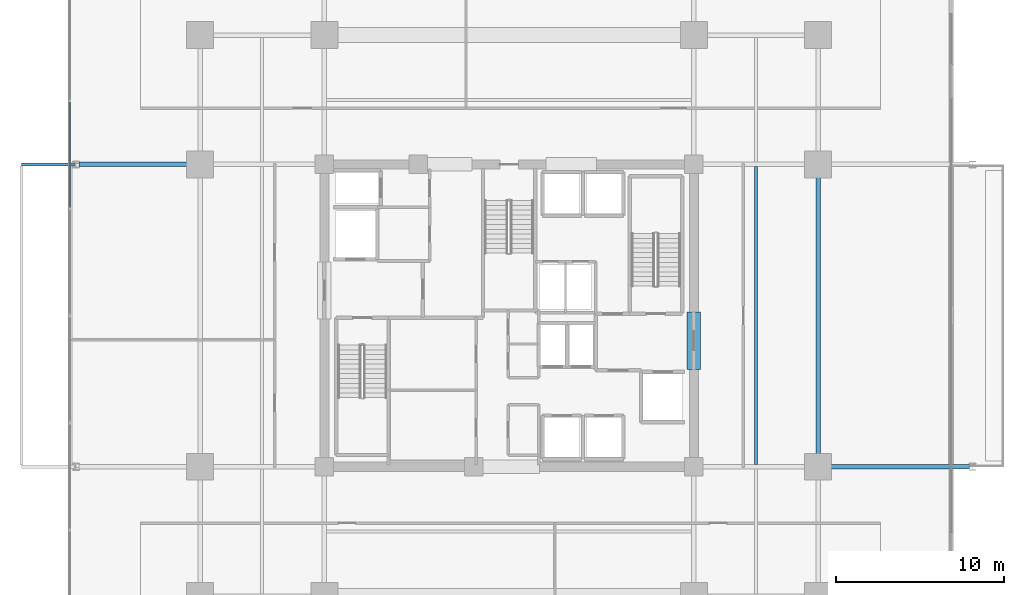
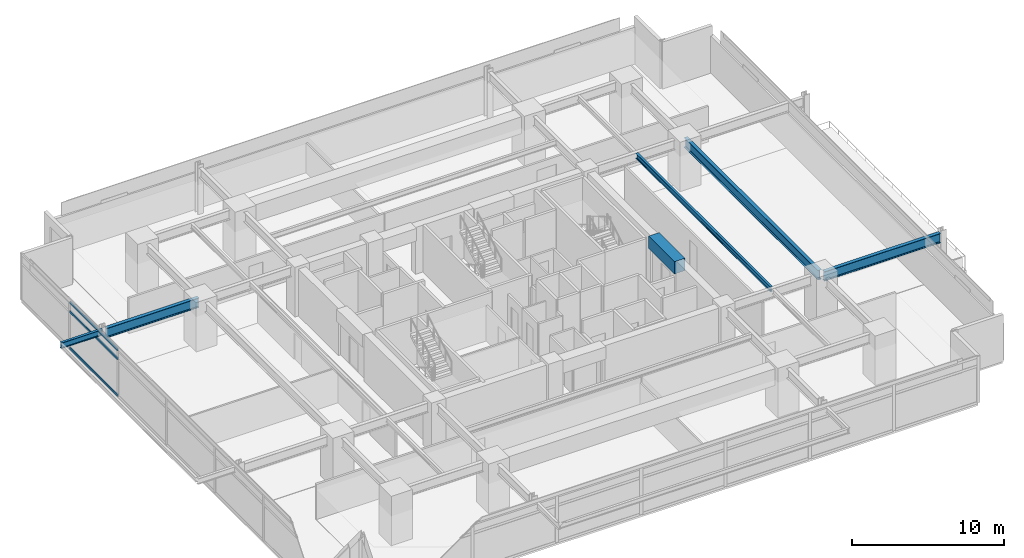
# One storey, part 11 of 24: 6 beams, 3 members, 1 element without a shape of its own.
"""IFC4 building model written with IfcOpenShell, lengths in metres."""

import ifcopenshell
import ifcopenshell.guid

model = None  # the IFC model being written
_history = None  # IfcOwnerHistory: only IFC2X3 demands one
_inside = {}  # id of a spatial element -> (the spatial element, [elements in it])
_under = {}  # id of a project, library or spatial element -> (it, [spatial elements below it])
_declared = {}  # id of a project -> (the project, [libraries it declares])
_typed = {}  # id of a type object -> (the type object, [elements of that type])
_made_of = {}  # id of a material, layer set ... -> (it, [elements and type objects made of it])


def new_model(schema):
    """Start an empty IFC model of exactly this schema.

    Asked for "IFC4X3", IfcOpenShell would pick the latest addendum, in which some entities
    have other attributes; the version numbers below select the first issue.
    IFC2X3 requires an IfcOwnerHistory on every rooted entity: one is made here for all.
    """
    global model, _history
    if schema == "IFC4X3":
        model = ifcopenshell.file(schema_version=(4, 3, 0, 0))
    else:
        model = ifcopenshell.file(schema=schema)
    _inside.clear()
    _under.clear()
    _declared.clear()
    _typed.clear()
    _made_of.clear()
    _history = None
    if model.schema == "IFC2X3":
        org = make("IfcOrganization", Name="unknown")
        user = make(
            "IfcPersonAndOrganization",
            ThePerson=make("IfcPerson", FamilyName="unknown"),
            TheOrganization=org,
        )
        app = make(
            "IfcApplication",
            ApplicationDeveloper=org,
            Version="unknown",
            ApplicationFullName="unknown",
            ApplicationIdentifier="unknown",
        )
        _history = make(
            "IfcOwnerHistory",
            OwningUser=user,
            OwningApplication=app,
            ChangeAction="ADDED",
            CreationDate=0,
        )
    return model


def make(cls, **values):
    """One entity of the class cls with the attributes given. An attribute that is None is left unset."""
    return model.create_entity(
        cls, **{name: value for name, value in values.items() if value is not None}
    )


def rooted(cls, **values):
    """An entity with a GlobalId (a new one), such as an element, a storey or a relation."""
    return make(cls, GlobalId=ifcopenshell.guid.new(), OwnerHistory=_history, **values)


def si_unit(unit_type, name, prefix=None):
    """IfcSIUnit, for example si_unit("LENGTHUNIT", "METRE", prefix="MILLI")."""
    return make("IfcSIUnit", UnitType=unit_type, Prefix=prefix, Name=name)


def assignment(units):
    """IfcUnitAssignment: the units of a project."""
    return None if units is None else make("IfcUnitAssignment", Units=units)


def point(xyz):
    """IfcCartesianPoint."""
    return None if xyz is None else make("IfcCartesianPoint", Coordinates=xyz)


def direction(xyz):
    """IfcDirection."""
    return None if xyz is None else make("IfcDirection", DirectionRatios=xyz)


def frame(location, z_axis=None, x_axis=None):
    """IfcAxis2Placement3D, a coordinate frame: its origin and axes. An axis left out is left unset."""
    return make(
        "IfcAxis2Placement3D",
        Location=point(location),
        Axis=direction(z_axis),
        RefDirection=direction(x_axis),
    )


def frame_2d(location, x_axis=None):
    """IfcAxis2Placement2D, a coordinate frame in the plane: its origin and x axis."""
    return make(
        "IfcAxis2Placement2D", Location=point(location), RefDirection=direction(x_axis)
    )


def origin():
    """The frame at (0, 0, 0) with its axes left unset."""
    return frame((0.0, 0.0, 0.0))


def origin_2d():
    """The frame at (0, 0) in the plane with its x axis left unset."""
    return frame_2d((0.0, 0.0))


def place(relative_to, where):
    """IfcLocalPlacement: puts the frame where relative to a parent placement (None: the world)."""
    return make(
        "IfcLocalPlacement", PlacementRelTo=relative_to, RelativePlacement=where
    )


def context(
    kind, dimensions, precision=None, world=None, true_north=None, identifier=None
):
    """IfcGeometricRepresentationContext, for example the 3D "Model" context."""
    return make(
        "IfcGeometricRepresentationContext",
        ContextIdentifier=identifier,
        ContextType=kind,
        CoordinateSpaceDimension=dimensions,
        Precision=precision,
        WorldCoordinateSystem=world,
        TrueNorth=true_north,
    )


def subcontext(parent, identifier, kind, view, scale=None):
    """IfcGeometricRepresentationSubContext, for example "Body" below "Model"."""
    return make(
        "IfcGeometricRepresentationSubContext",
        ContextIdentifier=identifier,
        ContextType=kind,
        ParentContext=parent,
        TargetScale=scale,
        TargetView=view,
    )


def project(units=None, contexts=None):
    """IfcProject with its units and contexts."""
    return rooted(
        "IfcProject",
        Name="project",
        RepresentationContexts=contexts,
        UnitsInContext=assignment(units),
    )


def spatial(cls, under=None, at=None, **own):
    """A site, building, storey or space (cls), placed at a placement, below another one or the project."""
    s = rooted(cls, ObjectPlacement=at, **own)
    if under is not None:
        _under.setdefault(under.id(), (under, []))[1].append(s)
    return s


def profile(cls, at=None, kind="AREA", **sizes):
    """A parametric profile (cls). Its sizes go by their IFC names, for example OverallWidth=200.0."""
    return make(cls, ProfileType=kind, Position=at, **sizes)


def rectangle(**sizes):
    """IfcRectangleProfileDef."""
    return profile("IfcRectangleProfileDef", **sizes)


def hollow_rectangle(**sizes):
    """IfcRectangleHollowProfileDef."""
    return profile("IfcRectangleHollowProfileDef", **sizes)


def i_section(**sizes):
    """IfcIShapeProfileDef."""
    return profile("IfcIShapeProfileDef", **sizes)


def extrude(swept, where, along, depth):
    """IfcExtrudedAreaSolid: the profile swept, set in the frame where, extruded along a direction by depth."""
    return make(
        "IfcExtrudedAreaSolid",
        SweptArea=swept,
        Position=where,
        ExtrudedDirection=direction(along),
        Depth=depth,
    )


def shape(context_of_items, identifier, shape_type, items):
    """IfcShapeRepresentation: the items that make up one representation, for example the "Body"."""
    return make(
        "IfcShapeRepresentation",
        ContextOfItems=context_of_items,
        RepresentationIdentifier=identifier,
        RepresentationType=shape_type,
        Items=items,
    )


def material(Name=None, Category=None):
    """IfcMaterial."""
    return make("IfcMaterial", Name=Name, Category=Category)


def material_profile(
    of_material, cross_section, Name=None, Category=None, Priority=None
):
    """IfcMaterialProfile: a cross section and its material."""
    return make(
        "IfcMaterialProfile",
        Name=Name,
        Material=of_material,
        Profile=cross_section,
        Priority=Priority,
        Category=Category,
    )


def profile_set(profiles, Name=None, composite=None):
    """IfcMaterialProfileSet."""
    return make(
        "IfcMaterialProfileSet",
        Name=Name,
        MaterialProfiles=profiles,
        CompositeProfile=composite,
    )


def made_of(thing, what):
    """Note that an element or type object is made of a material, layer set ...; save() writes the relation."""
    if what is not None:
        _made_of.setdefault(what.id(), (what, []))[1].append(thing)
    return thing


def type_object(cls, material=None, **own):
    """A type object (cls), such as IfcWallType, which elements share."""
    return made_of(rooted(cls, **own), material)


def element(
    cls,
    number,
    at=None,
    inside=None,
    cuts=None,
    type_object=None,
    material=None,
    context=None,
    identifier="Body",
    shape_type=None,
    held_by="IfcProductDefinitionShape",
    body=None,
    shapes=None,
    **own,
):
    """One element of the class cls, such as IfcWall. Its Tag is "e" and its number.

    at: its placement. inside: the storey or other place that contains it. cuts: it is an
    opening in that element (IfcRelVoidsElement). A single representation is given by context,
    identifier, shape_type and body (its items); several are given by shapes. held_by: the class
    of the entity that holds the representations. save() writes the other relations.
    """
    e = rooted(cls, Tag="e%d" % number, ObjectPlacement=at, **own)
    if body is not None:
        shapes = [shape(context, identifier, shape_type, body)]
    if shapes is not None:
        e.Representation = make(held_by, Representations=shapes)
    if inside is not None:
        _inside.setdefault(inside.id(), (inside, []))[1].append(e)
    if cuts is not None:
        rooted(
            "IfcRelVoidsElement", RelatingBuildingElement=cuts, RelatedOpeningElement=e
        )
    if type_object is not None:
        _typed.setdefault(type_object.id(), (type_object, []))[1].append(e)
    return made_of(e, material)


def aggregate(whole, parts):
    """IfcRelAggregates: a whole, such as a stair, and the parts it consists of."""
    return rooted("IfcRelAggregates", RelatingObject=whole, RelatedObjects=parts)


def save(model, path):
    """Write the relations noted so far, then the file.

    IfcRelAggregates (storeys below a building ...), IfcRelContainedInSpatialStructure (elements
    in a storey), IfcRelDefinesByType, IfcRelAssociatesMaterial and IfcRelDeclares: one each for
    every whole, place, type object, material and project.
    """
    for whole, parts in _under.values():
        aggregate(whole, parts)
    for where, things in _inside.values():
        rooted(
            "IfcRelContainedInSpatialStructure",
            RelatedElements=things,
            RelatingStructure=where,
        )
    for kind, things in _typed.values():
        rooted("IfcRelDefinesByType", RelatedObjects=things, RelatingType=kind)
    for what, things in _made_of.values():
        rooted("IfcRelAssociatesMaterial", RelatedObjects=things, RelatingMaterial=what)
    for by, libraries in _declared.values():
        rooted("IfcRelDeclares", RelatingContext=by, RelatedDefinitions=libraries)
    model.write(path)


model = new_model("IFC4")

# Units and contexts
model_context = context("Model", 3, precision=1e-05, world=origin(), true_north=direction((0.0, 1.0)))
body_context = subcontext(model_context, "Body", "Model", "MODEL_VIEW")
ifc_project = project(units=[si_unit("LENGTHUNIT", "METRE"), si_unit("AREAUNIT", "SQUARE_METRE"), si_unit("VOLUMEUNIT", "CUBIC_METRE"), si_unit("PLANEANGLEUNIT", "RADIAN"), si_unit("MASSUNIT", "GRAM", prefix="KILO")], contexts=[model_context])

# Site, building, storey
site_placement = place(None, origin())
site = spatial("IfcSite", under=ifc_project, at=site_placement, CompositionType="ELEMENT")
building_placement = place(site_placement, origin())
building = spatial("IfcBuilding", under=site, at=building_placement, Name="Kovane Verandah Tower", CompositionType="ELEMENT")
storey_placement = place(building_placement, frame((0.0, 0.0, 132.39990234375)))
storey = spatial("IfcBuildingStorey", under=building, at=storey_placement, Name="L30", CompositionType="ELEMENT", Elevation=132.39990234375)

# Beams
ifc_material_1 = material(Name="Concrete C60/75", Category="concrete")
ifc_material_profile_1 = material_profile(ifc_material_1, rectangle(XDim=0.800048828125, YDim=1.0, at=origin_2d()), Name="RCB800x1000")
ifc_profile_set_1 = profile_set([ifc_material_profile_1], Name="Concrete C60/75")
beam_type_1 = type_object("IfcBeamType", Name="BM-LINTEL-800x1000", PredefinedType="LINTEL", material=ifc_profile_set_1)
beam_1_placement = place(storey_placement, frame((51.0, 24.300048828125, 3.275146484375), z_axis=(0.0, 1.0, 0.0), x_axis=(-1.0, 0.0, 0.0)))
element("IfcBeam", 1, at=beam_1_placement, inside=storey, type_object=beam_type_1, Name="L30 Core Coupling Lintel CL-E", PredefinedType="LINTEL", context=body_context, shape_type="SweptSolid", body=[
    extrude(rectangle(XDim=0.800048828125, YDim=1.0, at=origin_2d()), origin(), (0.0, 0.0, 1.0), 3.39990234375),
])
ifc_material_2 = material(Name="Steel S355", Category="steel")
ifc_material_profile_2 = material_profile(ifc_material_2, i_section(OverallWidth=0.26806640625, OverallDepth=0.769775390625, WebThickness=0.015625, FlangeThickness=0.025390625, FilletRadius=0.0166015625, at=origin_2d()), Name="UB762x267x197")
ifc_profile_set_2 = profile_set([ifc_material_profile_2], Name="Steel S355")
beam_type_2 = type_object("IfcBeamType", Name="BM-UB762x197", PredefinedType="BEAM", material=ifc_profile_set_2)
beam_2_placement = place(storey_placement, frame((58.39990234375, 18.679931640625, 3.39013671875), z_axis=(0.0, 1.0, 0.0), x_axis=(-1.0, 0.0, 0.0)))
element("IfcBeam", 2, at=beam_2_placement, inside=storey, type_object=beam_type_2, Name="L30 Primary Tower Girder G-RE2", PredefinedType="BEAM", context=body_context, shape_type="SweptSolid", body=[
    extrude(i_section(OverallWidth=0.26806640625, OverallDepth=0.769775390625, WebThickness=0.015625, FlangeThickness=0.025390625, FilletRadius=0.0166015625, at=origin_2d()), origin(), (0.0, 0.0, 1.0), 17.64013671875),
])
beam_3_placement = place(storey_placement, frame((21.419921875, 36.5, 3.375244140625), z_axis=(-1.0, 0.0, 0.0), x_axis=(0.0, -1.0, 0.0)))
element("IfcBeam", 3, at=beam_3_placement, inside=storey, type_object=beam_type_2, Name="L30 Primary Tower Girder G-VW2", PredefinedType="BEAM", context=body_context, shape_type="SweptSolid", body=[
    extrude(i_section(OverallWidth=0.26806640625, OverallDepth=0.769775390625, WebThickness=0.015625, FlangeThickness=0.025390625, FilletRadius=0.0166015625, at=origin_2d()), origin(), (0.0, 0.0, 1.0), 7.0400390625),
])
beam_4_placement = place(storey_placement, frame((58.580078125, 18.5, 3.375244140625), z_axis=(1.0, 0.0, 0.0), x_axis=(0.0, 1.0, 0.0)))
element("IfcBeam", 4, at=beam_4_placement, inside=storey, type_object=beam_type_2, Name="L30 Primary Tower Girder G-VE1", PredefinedType="BEAM", context=body_context, shape_type="SweptSolid", body=[
    extrude(i_section(OverallWidth=0.26806640625, OverallDepth=0.769775390625, WebThickness=0.015625, FlangeThickness=0.025390625, FilletRadius=0.0166015625, at=origin_2d()), origin(), (0.0, 0.0, 1.0), 8.83984375),
])

# Curtain wall, members
ifc_material_3 = material(Name="Champagne Anodised Aluminium Frame with Low-E Clear Laminated Glass", Category="aluminium")
curtain_wall_type = type_object("IfcCurtainWallType", Name="CW-SYS-03-MID", PredefinedType="NOTDEFINED", material=ifc_material_3)
curtain_wall_placement = place(storey_placement, origin())
curtain_wall = element("IfcCurtainWall", 5, at=curtain_wall_placement, inside=storey, type_object=curtain_wall_type, Name="L30 W Unitised Curtain Wall", PredefinedType="NOTDEFINED")
ifc_material_4 = material(Name="Champagne Anodised Aluminium 6063-T6", Category="aluminium")
ifc_material_profile_3 = material_profile(ifc_material_4, hollow_rectangle(XDim=0.0849609375, YDim=0.18994140625, WallThickness=0.00390625, at=origin_2d()), Name="AL85x190x4")
ifc_profile_set_3 = profile_set([ifc_material_profile_3], Name="Champagne Anodised Aluminium 6063-T6")
member_type = type_object("IfcMemberType", Name="CW-TRN-85x190", PredefinedType="USERDEFINED", material=ifc_profile_set_3)
member_1_placement = place(storey_placement, frame((13.837646484375, 40.218994140625, 0.050048828125), z_axis=(0.0, -1.0, 0.0), x_axis=(1.0, 0.0, 0.0)))
member_1 = element("IfcMember", 6, at=member_1_placement, type_object=member_type, Name="L30 W Unitised Curtain Wall Transom TB Bay 2", ObjectType="TRANSOM", PredefinedType="USERDEFINED", context=body_context, shape_type="SweptSolid", body=[
    extrude(hollow_rectangle(XDim=0.0849609375, YDim=0.18994140625, WallThickness=0.00390625, at=origin_2d()), origin(), (0.0, 0.0, 1.0), 6.284423828125),
])
member_2_placement = place(storey_placement, frame((13.837646484375, 40.218994140625, 2.9951171875), z_axis=(0.0, -1.0, 0.0), x_axis=(1.0, 0.0, 0.0)))
member_2 = element("IfcMember", 7, at=member_2_placement, type_object=member_type, Name="L30 W Unitised Curtain Wall Transom TM Bay 2", ObjectType="TRANSOM", PredefinedType="USERDEFINED", context=body_context, shape_type="SweptSolid", body=[
    extrude(hollow_rectangle(XDim=0.0849609375, YDim=0.18994140625, WallThickness=0.00390625, at=origin_2d()), origin(), (0.0, 0.0, 1.0), 6.284423828125),
])
member_3_placement = place(storey_placement, frame((13.837646484375, 40.218994140625, 3.72509765625), z_axis=(0.0, -1.0, 0.0), x_axis=(1.0, 0.0, 0.0)))
member_3 = element("IfcMember", 8, at=member_3_placement, type_object=member_type, Name="L30 W Unitised Curtain Wall Transom TT Bay 2", ObjectType="TRANSOM", PredefinedType="USERDEFINED", context=body_context, shape_type="SweptSolid", body=[
    extrude(hollow_rectangle(XDim=0.0849609375, YDim=0.18994140625, WallThickness=0.00390625, at=origin_2d()), origin(), (0.0, 0.0, 1.0), 6.284423828125),
])
aggregate(curtain_wall, [member_1, member_2, member_3])

# Beams
ifc_material_profile_4 = material_profile(ifc_material_2, i_section(OverallWidth=0.179443359375, OverallDepth=0.412841796875, WebThickness=0.009521484375, FlangeThickness=0.01611328125, FilletRadius=0.01025390625, at=origin_2d()), Name="UB406x178x74")
ifc_profile_set_4 = profile_set([ifc_material_profile_4], Name="Steel S355")
beam_type_3 = type_object("IfcBeamType", Name="JST-UB406x74", PredefinedType="JOIST", material=ifc_profile_set_4)
beam_5_placement = place(storey_placement, frame((54.699951171875, 18.632080078125, 3.568603515625), z_axis=(0.0, 1.0, 0.0), x_axis=(-1.0, 0.0, 0.0)))
element("IfcBeam", 9, at=beam_5_placement, inside=storey, type_object=beam_type_3, Name="L30 Secondary Composite Joist J-E1", PredefinedType="JOIST", context=body_context, shape_type="SweptSolid", body=[
    extrude(i_section(OverallWidth=0.179443359375, OverallDepth=0.412841796875, WebThickness=0.009521484375, FlangeThickness=0.01611328125, FilletRadius=0.01025390625, at=origin_2d()), origin(), (0.0, 0.0, 1.0), 17.73583984375),
])
ifc_material_profile_5 = material_profile(ifc_material_2, i_section(OverallWidth=0.19287109375, OverallDepth=0.46728515625, WebThickness=0.011474609375, FlangeThickness=0.01953125, FilletRadius=0.01025390625, at=origin_2d()), Name="UB457x191x98")
ifc_profile_set_5 = profile_set([ifc_material_profile_5], Name="Steel S355")
beam_type_4 = type_object("IfcBeamType", Name="JST-UB457x98", PredefinedType="JOIST", material=ifc_profile_set_5)
beam_6_placement = place(storey_placement, frame((14.1201171875, 36.5, 3.526611328125), z_axis=(-1.0, 0.0, 0.0), x_axis=(0.0, -1.0, 0.0)))
element("IfcBeam", 10, at=beam_6_placement, inside=storey, type_object=beam_type_4, Name="L30 West Planter Girder 2", PredefinedType="JOIST", context=body_context, shape_type="SweptSolid", body=[
    extrude(i_section(OverallWidth=0.19287109375, OverallDepth=0.46728515625, WebThickness=0.011474609375, FlangeThickness=0.01953125, FilletRadius=0.01025390625, at=origin_2d()), origin(), (0.0, 0.0, 1.0), 3.156494140625),
])

save(model, "model.ifc")
